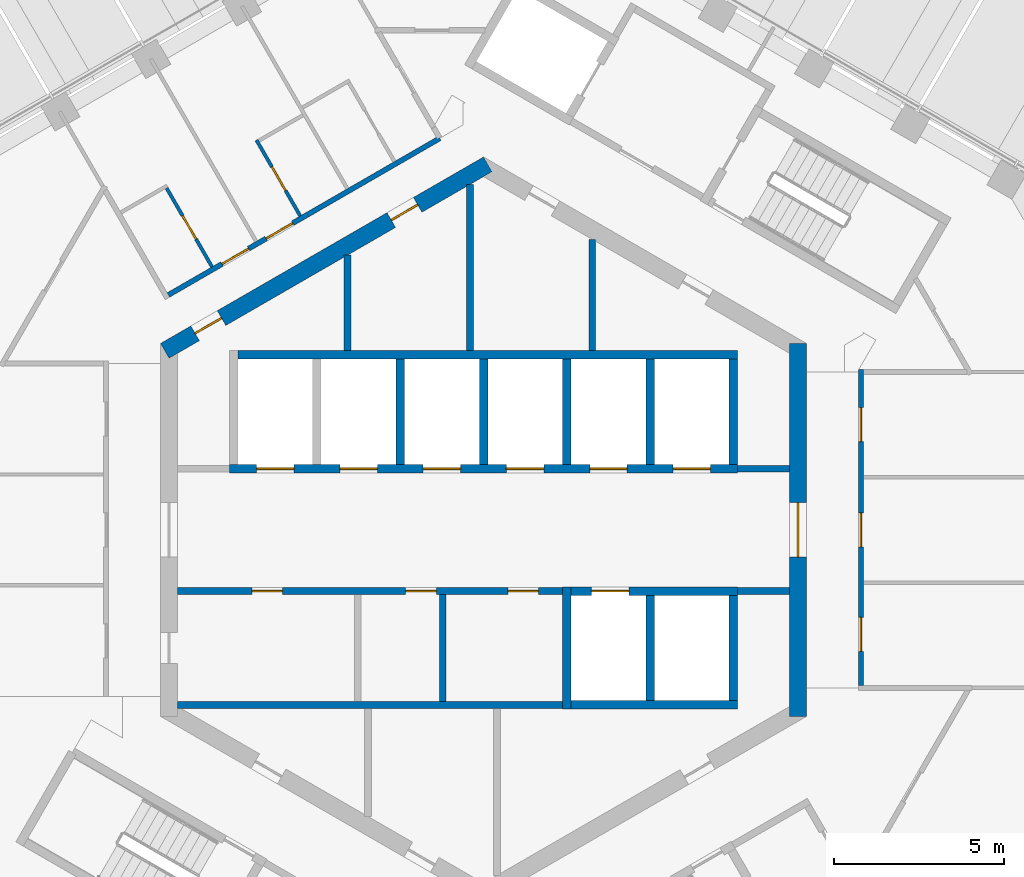
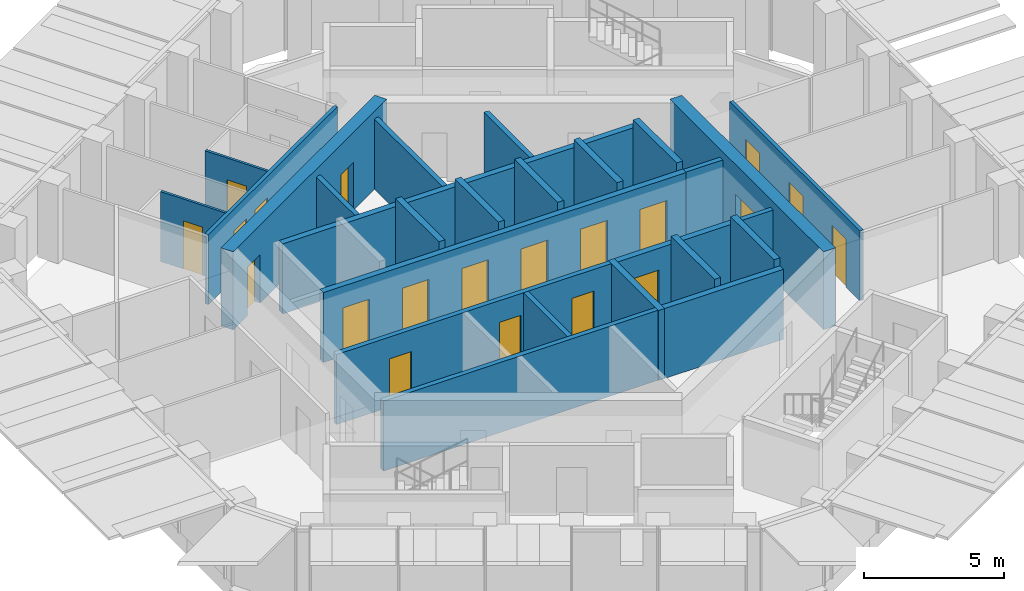
# One storey, part 13 of 17: 26 walls, 20 doors, 20 openings.
"""IFC4 building model written with IfcOpenShell, lengths in metres."""

from ifc_helpers import new_model, si_unit, direction, frame, frame_2d, origin, place, context, subcontext, project, spatial, rectangle, extrude, material, layer, layer_set, type_object, element, fill, save


model = new_model("IFC4")

# Units and contexts
model_context = context("Model", 3, precision=1e-05, world=origin(), true_north=direction((0.0, 1.0)))
body_context = subcontext(model_context, "Body", "Model", "MODEL_VIEW")
ifc_project = project(units=[si_unit("LENGTHUNIT", "METRE"), si_unit("AREAUNIT", "SQUARE_METRE"), si_unit("VOLUMEUNIT", "CUBIC_METRE"), si_unit("PLANEANGLEUNIT", "RADIAN"), si_unit("MASSUNIT", "GRAM", prefix="KILO")], contexts=[model_context])

# Site, building, storey
site_placement = place(None, origin())
site = spatial("IfcSite", under=ifc_project, at=site_placement, CompositionType="ELEMENT")
building_placement = place(site_placement, origin())
building = spatial("IfcBuilding", under=site, at=building_placement, Name="Ayvan Gate Tower", CompositionType="ELEMENT")
storey_placement = place(building_placement, frame((0.0, 0.0, 232.5)))
storey = spatial("IfcBuildingStorey", under=building, at=storey_placement, Name="L62", CompositionType="ELEMENT", Elevation=232.5)

# Wall, opening, door
ifc_material_1 = material(Name="Concrete C60/75", Category="concrete")
ifc_layer_1 = layer(ifc_material_1, 0.5)
ifc_layer_set_1 = layer_set([ifc_layer_1], Name="Concrete C60/75")
wall_type_1 = type_object("IfcWallType", Name="Core wall 500 C60/75", PredefinedType="SHEAR", material=ifc_layer_set_1)
wall_1_placement = place(storey_placement, frame((9.25, -5.48486328125, 0.0), z_axis=(0.0, 0.0, 1.0), x_axis=(0.0, 1.0, 0.0)))
wall_1 = element("IfcWall", 1, at=wall_1_placement, inside=storey, type_object=wall_type_1, Name="CORE-L62-0", PredefinedType="SHEAR", context=body_context, shape_type="SweptSolid", body=[
    extrude(rectangle(XDim=10.9697265625, YDim=0.5, at=frame_2d((5.48486328125, 0.0))), origin(), (0.0, 0.0, 1.0), 3.39990234375),
])
opening_1_placement = place(wall_1_placement, frame((4.684814453125, 0.0, 0.0)))
opening_1 = element("IfcOpeningElement", 2, at=opening_1_placement, cuts=wall_1, Name="Opening L62-D46", PredefinedType="OPENING", context=body_context, shape_type="SweptSolid", body=[
    extrude(rectangle(XDim=1.60009765625, YDim=2.10009765625, at=frame_2d((0.800048828125, 1.050048828125))), frame((0.0, 0.260009765625, 0.0), z_axis=(0.0, -1.0, 0.0), x_axis=(1.0, 0.0, 0.0)), (0.0, 0.0, 1.0), 0.52001953125),
])
ifc_material_2 = material(Name="Timber door leaf", Category="wood")
door_type_1 = type_object("IfcDoorType", Name="DT-1600", OperationType="NOTDEFINED", PredefinedType="DOOR", material=ifc_material_2)
door_1_placement = place(opening_1_placement, origin())
door_1 = element("IfcDoor", 3, at=door_1_placement, inside=storey, type_object=door_type_1, Name="CD-L62-46", OperationType="SINGLE_SWING_RIGHT", OverallHeight=2.10009765625, OverallWidth=1.60009765625, PredefinedType="DOOR", context=body_context, shape_type="SweptSolid", body=[
    extrude(rectangle(XDim=1.60009765625, YDim=2.10009765625, at=frame_2d((0.800048828125, 1.050048828125))), frame((0.0, 0.02490234375, 0.0), z_axis=(0.0, -1.0, 0.0), x_axis=(1.0, 0.0, 0.0)), (0.0, 0.0, 1.0), 0.050048828125),
])
fill(opening_1, door_1)

# Wall, openings, doors
wall_2_placement = place(storey_placement, frame((0.125, 10.753173828125, 0.0), z_axis=(0.0, 0.0, 1.0), x_axis=(-0.866023993627, -0.500002442456, 0.0)))
wall_2 = element("IfcWall", 4, at=wall_2_placement, inside=storey, type_object=wall_type_1, Name="CORE-L62-2", PredefinedType="SHEAR", context=body_context, shape_type="SweptSolid", body=[
    extrude(rectangle(XDim=10.9697265625, YDim=0.5, at=frame_2d((5.48486328125, 0.0))), origin(), (0.0, 0.0, 1.0), 3.39990234375),
])
opening_2_placement = place(wall_2_placement, frame((9.042724609375, 0.0, 0.0)))
opening_2 = element("IfcOpeningElement", 5, at=opening_2_placement, cuts=wall_2, Name="Opening L62-D38", PredefinedType="OPENING", context=body_context, shape_type="SweptSolid", body=[
    extrude(rectangle(XDim=0.89990234375, YDim=2.10009765625, at=frame_2d((0.449951171875, 1.050048828125))), frame((0.0, 0.260009765625, 0.0), z_axis=(0.0, -1.0, 0.0), x_axis=(1.0, 0.0, 0.0)), (0.0, 0.0, 1.0), 0.52001953125),
])
opening_3_placement = place(wall_2_placement, frame((2.379638671875, 0.0, 0.0)))
opening_3 = element("IfcOpeningElement", 6, at=opening_3_placement, cuts=wall_2, Name="Opening L62-D39", PredefinedType="OPENING", context=body_context, shape_type="SweptSolid", body=[
    extrude(rectangle(XDim=0.89990234375, YDim=2.10009765625, at=frame_2d((0.449951171875, 1.050048828125))), frame((0.0, 0.260009765625, 0.0), z_axis=(0.0, -1.0, 0.0), x_axis=(1.0, 0.0, 0.0)), (0.0, 0.0, 1.0), 0.52001953125),
])
door_type_2 = type_object("IfcDoorType", Name="DT-900", OperationType="NOTDEFINED", PredefinedType="DOOR", material=ifc_material_2)
door_2_placement = place(opening_2_placement, origin())
door_2 = element("IfcDoor", 7, at=door_2_placement, inside=storey, type_object=door_type_2, Name="CD-L62-38", OperationType="SINGLE_SWING_RIGHT", OverallHeight=2.10009765625, OverallWidth=0.89990234375, PredefinedType="DOOR", context=body_context, shape_type="SweptSolid", body=[
    extrude(rectangle(XDim=0.89990234375, YDim=2.10009765625, at=frame_2d((0.449951171875, 1.050048828125))), frame((0.0, 0.02490234375, 0.0), z_axis=(0.0, -1.0, 0.0), x_axis=(1.0, 0.0, 0.0)), (0.0, 0.0, 1.0), 0.050048828125),
])
fill(opening_2, door_2)
door_3_placement = place(opening_3_placement, origin())
door_3 = element("IfcDoor", 8, at=door_3_placement, inside=storey, type_object=door_type_2, Name="CD-L62-39", OperationType="SINGLE_SWING_LEFT", OverallHeight=2.10009765625, OverallWidth=0.89990234375, PredefinedType="DOOR", context=body_context, shape_type="SweptSolid", body=[
    extrude(rectangle(XDim=0.89990234375, YDim=2.10009765625, at=frame_2d((0.449951171875, 1.050048828125))), frame((0.0, 0.02490234375, 0.0), z_axis=(0.0, -1.0, 0.0), x_axis=(1.0, 0.0, 0.0)), (0.0, 0.0, 1.0), 0.050048828125),
])
fill(opening_3, door_3)

ifc_material_3 = material(Name="Plasterboard on steel stud", Category="steel")
ifc_layer_2 = layer(ifc_material_3, 0.14990234375)
ifc_layer_set_2 = layer_set([ifc_layer_2], Name="Plasterboard on steel stud")
wall_type_2 = type_object("IfcWallType", Name="WT-CORR-150", PredefinedType="PARTITIONING", material=ifc_layer_set_2)
wall_3_placement = place(storey_placement, frame((-9.268798828125, 6.91162109375, 0.0), z_axis=(0.0, 0.0, 1.0), x_axis=(0.866021065666, 0.500007513767, 0.0)))
wall_3 = element("IfcWall", 9, at=wall_3_placement, inside=storey, type_object=wall_type_2, Name="IW-L62-011", PredefinedType="PARTITIONING", context=body_context, shape_type="SweptSolid", body=[
    extrude(rectangle(XDim=9.217529296875, YDim=0.14990234375, at=frame_2d((4.60888671875, 0.0))), origin(), (0.0, 0.0, 1.0), 3.050048828125),
])
opening_4_placement = place(wall_3_placement, frame((3.3212890625, 0.0, 0.0)))
opening_4 = element("IfcOpeningElement", 10, at=opening_4_placement, cuts=wall_3, Name="Opening L62-D34", PredefinedType="OPENING", context=body_context, shape_type="SweptSolid", body=[
    extrude(rectangle(XDim=0.89990234375, YDim=2.10009765625, at=frame_2d((0.449951171875, 1.050048828125))), frame((0.0, 0.0849609375, 0.0), z_axis=(0.0, -1.0, 0.0), x_axis=(1.0, 0.0, 0.0)), (0.0, 0.0, 1.0), 0.169921875),
])
opening_5_placement = place(wall_3_placement, frame((1.82373046875, 0.0, 0.0)))
opening_5 = element("IfcOpeningElement", 11, at=opening_5_placement, cuts=wall_3, Name="Opening L62-D36", PredefinedType="OPENING", context=body_context, shape_type="SweptSolid", body=[
    extrude(rectangle(XDim=0.89990234375, YDim=2.10009765625, at=frame_2d((0.449951171875, 1.050048828125))), frame((0.0, 0.0849609375, 0.0), z_axis=(0.0, -1.0, 0.0), x_axis=(1.0, 0.0, 0.0)), (0.0, 0.0, 1.0), 0.169921875),
])
door_4_placement = place(opening_4_placement, origin())
door_4 = element("IfcDoor", 12, at=door_4_placement, inside=storey, type_object=door_type_2, Name="ID-L62-034", OperationType="SINGLE_SWING_RIGHT", OverallHeight=2.10009765625, OverallWidth=0.89990234375, PredefinedType="DOOR", context=body_context, shape_type="SweptSolid", body=[
    extrude(rectangle(XDim=0.89990234375, YDim=2.10009765625, at=frame_2d((0.449951171875, 1.050048828125))), frame((0.0, 0.02490234375, 0.0), z_axis=(0.0, -1.0, 0.0), x_axis=(1.0, 0.0, 0.0)), (0.0, 0.0, 1.0), 0.050048828125),
])
fill(opening_4, door_4)
door_5_placement = place(opening_5_placement, origin())
door_5 = element("IfcDoor", 13, at=door_5_placement, inside=storey, type_object=door_type_2, Name="ID-L62-036", OperationType="SINGLE_SWING_RIGHT", OverallHeight=2.10009765625, OverallWidth=0.89990234375, PredefinedType="DOOR", context=body_context, shape_type="SweptSolid", body=[
    extrude(rectangle(XDim=0.89990234375, YDim=2.10009765625, at=frame_2d((0.449951171875, 1.050048828125))), frame((0.0, 0.02490234375, 0.0), z_axis=(0.0, -1.0, 0.0), x_axis=(1.0, 0.0, 0.0)), (0.0, 0.0, 1.0), 0.050048828125),
])
fill(opening_5, door_5)

wall_4_placement = place(storey_placement, frame((11.10009765625, -4.5712890625, 0.0), z_axis=(0.0, 0.0, 1.0), x_axis=(0.0, 1.0, 0.0)))
wall_4 = element("IfcWall", 14, at=wall_4_placement, inside=storey, type_object=wall_type_2, Name="IW-L62-077", PredefinedType="PARTITIONING", context=body_context, shape_type="SweptSolid", body=[
    extrude(rectangle(XDim=9.29248046875, YDim=0.14990234375, at=frame_2d((4.646240234375, 0.0))), origin(), (0.0, 0.0, 1.0), 3.050048828125),
])
opening_6_placement = place(wall_4_placement, frame((0.996337890625, 0.0, 0.0)))
opening_6 = element("IfcOpeningElement", 15, at=opening_6_placement, cuts=wall_4, Name="Opening L62-D22", PredefinedType="OPENING", context=body_context, shape_type="SweptSolid", body=[
    extrude(rectangle(XDim=1.0, YDim=2.10009765625, at=frame_2d((0.5, 1.050048828125))), frame((0.0, 0.0849609375, 0.0), z_axis=(0.0, -1.0, 0.0), x_axis=(1.0, 0.0, 0.0)), (0.0, 0.0, 1.0), 0.169921875),
])
opening_7_placement = place(wall_4_placement, frame((4.0712890625, 0.0, 0.0)))
opening_7 = element("IfcOpeningElement", 16, at=opening_7_placement, cuts=wall_4, Name="Opening L62-D23", PredefinedType="OPENING", context=body_context, shape_type="SweptSolid", body=[
    extrude(rectangle(XDim=1.0, YDim=2.10009765625, at=frame_2d((0.5, 1.050048828125))), frame((0.0, 0.0849609375, 0.0), z_axis=(0.0, -1.0, 0.0), x_axis=(1.0, 0.0, 0.0)), (0.0, 0.0, 1.0), 0.169921875),
])
opening_8_placement = place(wall_4_placement, frame((7.168701171875, 0.0, 0.0)))
opening_8 = element("IfcOpeningElement", 17, at=opening_8_placement, cuts=wall_4, Name="Opening L62-D24", PredefinedType="OPENING", context=body_context, shape_type="SweptSolid", body=[
    extrude(rectangle(XDim=1.0, YDim=2.10009765625, at=frame_2d((0.5, 1.050048828125))), frame((0.0, 0.0849609375, 0.0), z_axis=(0.0, -1.0, 0.0), x_axis=(1.0, 0.0, 0.0)), (0.0, 0.0, 1.0), 0.169921875),
])
door_type_3 = type_object("IfcDoorType", Name="DT-1000", OperationType="NOTDEFINED", PredefinedType="DOOR", material=ifc_material_2)
door_6_placement = place(opening_6_placement, origin())
door_6 = element("IfcDoor", 18, at=door_6_placement, inside=storey, type_object=door_type_3, Name="ID-L62-022", OperationType="SINGLE_SWING_RIGHT", OverallHeight=2.10009765625, OverallWidth=1.0, PredefinedType="DOOR", context=body_context, shape_type="SweptSolid", body=[
    extrude(rectangle(XDim=1.0, YDim=2.10009765625, at=frame_2d((0.5, 1.050048828125))), frame((0.0, 0.02490234375, 0.0), z_axis=(0.0, -1.0, 0.0), x_axis=(1.0, 0.0, 0.0)), (0.0, 0.0, 1.0), 0.050048828125),
])
fill(opening_6, door_6)
door_7_placement = place(opening_7_placement, origin())
door_7 = element("IfcDoor", 19, at=door_7_placement, inside=storey, type_object=door_type_3, Name="ID-L62-023", OperationType="SINGLE_SWING_LEFT", OverallHeight=2.10009765625, OverallWidth=1.0, PredefinedType="DOOR", context=body_context, shape_type="SweptSolid", body=[
    extrude(rectangle(XDim=1.0, YDim=2.10009765625, at=frame_2d((0.5, 1.050048828125))), frame((0.0, 0.02490234375, 0.0), z_axis=(0.0, -1.0, 0.0), x_axis=(1.0, 0.0, 0.0)), (0.0, 0.0, 1.0), 0.050048828125),
])
fill(opening_7, door_7)
door_8_placement = place(opening_8_placement, origin())
door_8 = element("IfcDoor", 20, at=door_8_placement, inside=storey, type_object=door_type_3, Name="ID-L62-024", OperationType="SINGLE_SWING_RIGHT", OverallHeight=2.10009765625, OverallWidth=1.0, PredefinedType="DOOR", context=body_context, shape_type="SweptSolid", body=[
    extrude(rectangle(XDim=1.0, YDim=2.10009765625, at=frame_2d((0.5, 1.050048828125))), frame((0.0, 0.02490234375, 0.0), z_axis=(0.0, -1.0, 0.0), x_axis=(1.0, 0.0, 0.0)), (0.0, 0.0, 1.0), 0.050048828125),
])
fill(opening_8, door_8)

# Wall, opening, door
ifc_layer_3 = layer(ifc_material_3, 0.10009765625)
ifc_layer_set_3 = layer_set([ifc_layer_3], Name="Plasterboard on steel stud")
wall_type_3 = type_object("IfcWallType", Name="WT-PART-100", PredefinedType="PARTITIONING", material=ifc_layer_set_3)
wall_5_placement = place(storey_placement, frame((-7.985595703125, 7.739013671875, 0.0), z_axis=(0.0, 0.0, 1.0), x_axis=(-0.50003581814, 0.866004723184, 0.0)))
wall_5 = element("IfcWall", 21, at=wall_5_placement, inside=storey, type_object=wall_type_3, Name="IW-L62-015", PredefinedType="PARTITIONING", context=body_context, shape_type="SweptSolid", body=[
    extrude(rectangle(XDim=2.675048828125, YDim=0.10009765625, at=frame_2d((1.33740234375, 0.0))), origin(), (0.0, 0.0, 1.0), 3.050048828125),
])
opening_9_placement = place(wall_5_placement, frame((0.9375, 0.0, 0.0)))
opening_9 = element("IfcOpeningElement", 22, at=opening_9_placement, cuts=wall_5, Name="Opening L62-D37", PredefinedType="OPENING", context=body_context, shape_type="SweptSolid", body=[
    extrude(rectangle(XDim=0.800048828125, YDim=2.10009765625, at=frame_2d((0.39990234375, 1.050048828125))), frame((0.0, 0.06005859375, 0.0), z_axis=(0.0, -1.0, 0.0), x_axis=(1.0, 0.0, 0.0)), (0.0, 0.0, 1.0), 0.1201171875),
])
door_type_4 = type_object("IfcDoorType", Name="DT-800", OperationType="NOTDEFINED", PredefinedType="DOOR", material=ifc_material_2)
door_9_placement = place(opening_9_placement, origin())
door_9 = element("IfcDoor", 23, at=door_9_placement, inside=storey, type_object=door_type_4, Name="ID-L62-037", OperationType="SINGLE_SWING_LEFT", OverallHeight=2.10009765625, OverallWidth=0.800048828125, PredefinedType="DOOR", context=body_context, shape_type="SweptSolid", body=[
    extrude(rectangle(XDim=0.800048828125, YDim=2.10009765625, at=frame_2d((0.39990234375, 1.050048828125))), frame((0.0, 0.02490234375, 0.0), z_axis=(0.0, -1.0, 0.0), x_axis=(1.0, 0.0, 0.0)), (0.0, 0.0, 1.0), 0.050048828125),
])
fill(opening_9, door_9)

wall_6_placement = place(storey_placement, frame((-6.679443359375, 11.466552734375, 0.0), z_axis=(0.0, 0.0, 1.0), x_axis=(0.500034319456, -0.866005588531, 0.0)))
wall_6 = element("IfcWall", 24, at=wall_6_placement, inside=storey, type_object=wall_type_3, Name="IW-L62-019", PredefinedType="PARTITIONING", context=body_context, shape_type="SweptSolid", body=[
    extrude(rectangle(XDim=2.574951171875, YDim=0.10009765625, at=frame_2d((1.28759765625, 0.0))), origin(), (0.0, 0.0, 1.0), 3.050048828125),
])
opening_10_placement = place(wall_6_placement, frame((0.91259765625, 0.0, 0.0)))
opening_10 = element("IfcOpeningElement", 25, at=opening_10_placement, cuts=wall_6, Name="Opening L62-D35", PredefinedType="OPENING", context=body_context, shape_type="SweptSolid", body=[
    extrude(rectangle(XDim=0.800048828125, YDim=2.10009765625, at=frame_2d((0.39990234375, 1.050048828125))), frame((0.0, 0.06005859375, 0.0), z_axis=(0.0, -1.0, 0.0), x_axis=(1.0, 0.0, 0.0)), (0.0, 0.0, 1.0), 0.1201171875),
])
door_10_placement = place(opening_10_placement, origin())
door_10 = element("IfcDoor", 26, at=door_10_placement, inside=storey, type_object=door_type_4, Name="ID-L62-035", OperationType="SINGLE_SWING_LEFT", OverallHeight=2.10009765625, OverallWidth=0.800048828125, PredefinedType="DOOR", context=body_context, shape_type="SweptSolid", body=[
    extrude(rectangle(XDim=0.800048828125, YDim=2.10009765625, at=frame_2d((0.39990234375, 1.050048828125))), frame((0.0, 0.02490234375, 0.0), z_axis=(0.0, -1.0, 0.0), x_axis=(1.0, 0.0, 0.0)), (0.0, 0.0, 1.0), 0.050048828125),
])
fill(opening_10, door_10)

# Walls
ifc_layer_4 = layer(ifc_material_3, 0.199951171875)
ifc_layer_set_4 = layer_set([ifc_layer_4], Name="Plasterboard on steel stud")
wall_type_4 = type_object("IfcWallType", Name="WT-RATED-200", PredefinedType="PARTITIONING", material=ifc_layer_set_4)
wall_7_placement = place(storey_placement, frame((-9.0, -5.14990234375, 0.0), z_axis=(0.0, 0.0, 1.0), x_axis=(1.0, 0.0, 0.0)))
element("IfcWall", 27, at=wall_7_placement, inside=storey, type_object=wall_type_4, Name="IW-L62-013", PredefinedType="PARTITIONING", context=body_context, shape_type="SweptSolid", body=[
    extrude(rectangle(XDim=11.3251953125, YDim=0.199951171875, at=frame_2d((5.66259765625, 0.0))), origin(), (0.0, 0.0, 1.0), 3.050048828125),
])
wall_8_placement = place(storey_placement, frame((-4.0, 8.0830078125, 0.0), z_axis=(0.0, 0.0, 1.0), x_axis=(0.0, -1.0, 0.0)))
element("IfcWall", 28, at=wall_8_placement, inside=storey, type_object=wall_type_4, Name="IW-L62-026", PredefinedType="PARTITIONING", context=body_context, shape_type="SweptSolid", body=[
    extrude(rectangle(XDim=2.80810546875, YDim=0.199951171875, at=frame_2d((1.404052734375, 0.0))), origin(), (0.0, 0.0, 1.0), 3.050048828125),
])

# Wall, openings, doors
wall_9_placement = place(storey_placement, frame((-9.0, -1.800048828125, 0.0), z_axis=(0.0, 0.0, 1.0), x_axis=(1.0, 0.0, 0.0)))
wall_9 = element("IfcWall", 29, at=wall_9_placement, inside=storey, type_object=wall_type_4, Name="IW-L62-029", PredefinedType="PARTITIONING", context=body_context, shape_type="SweptSolid", body=[
    extrude(rectangle(XDim=11.3251953125, YDim=0.199951171875, at=frame_2d((5.66259765625, 0.0))), origin(), (0.0, 0.0, 1.0), 3.050048828125),
])
opening_11_placement = place(wall_9_placement, frame((2.18505859375, 0.0, 0.0)))
opening_11 = element("IfcOpeningElement", 30, at=opening_11_placement, cuts=wall_9, Name="Opening L62-D08", PredefinedType="OPENING", context=body_context, shape_type="SweptSolid", body=[
    extrude(rectangle(XDim=0.89990234375, YDim=2.10009765625, at=frame_2d((0.449951171875, 1.050048828125))), frame((0.0, 0.10986328125, 0.0), z_axis=(0.0, -1.0, 0.0), x_axis=(1.0, 0.0, 0.0)), (0.0, 0.0, 1.0), 0.219970703125),
])
opening_12_placement = place(wall_9_placement, frame((6.7099609375, 0.0, 0.0)))
opening_12 = element("IfcOpeningElement", 31, at=opening_12_placement, cuts=wall_9, Name="Opening L62-D09", PredefinedType="OPENING", context=body_context, shape_type="SweptSolid", body=[
    extrude(rectangle(XDim=0.89990234375, YDim=2.10009765625, at=frame_2d((0.449951171875, 1.050048828125))), frame((0.0, 0.10986328125, 0.0), z_axis=(0.0, -1.0, 0.0), x_axis=(1.0, 0.0, 0.0)), (0.0, 0.0, 1.0), 0.219970703125),
])
opening_13_placement = place(wall_9_placement, frame((9.712646484375, 0.0, 0.0)))
opening_13 = element("IfcOpeningElement", 32, at=opening_13_placement, cuts=wall_9, Name="Opening L62-D10", PredefinedType="OPENING", context=body_context, shape_type="SweptSolid", body=[
    extrude(rectangle(XDim=0.89990234375, YDim=2.10009765625, at=frame_2d((0.449951171875, 1.050048828125))), frame((0.0, 0.10986328125, 0.0), z_axis=(0.0, -1.0, 0.0), x_axis=(1.0, 0.0, 0.0)), (0.0, 0.0, 1.0), 0.219970703125),
])
door_11_placement = place(opening_11_placement, origin())
door_11 = element("IfcDoor", 33, at=door_11_placement, inside=storey, type_object=door_type_2, Name="ID-L62-008", OperationType="SINGLE_SWING_RIGHT", OverallHeight=2.10009765625, OverallWidth=0.89990234375, PredefinedType="DOOR", context=body_context, shape_type="SweptSolid", body=[
    extrude(rectangle(XDim=0.89990234375, YDim=2.10009765625, at=frame_2d((0.449951171875, 1.050048828125))), frame((0.0, 0.02490234375, 0.0), z_axis=(0.0, -1.0, 0.0), x_axis=(1.0, 0.0, 0.0)), (0.0, 0.0, 1.0), 0.050048828125),
])
fill(opening_11, door_11)
door_12_placement = place(opening_12_placement, origin())
door_12 = element("IfcDoor", 34, at=door_12_placement, inside=storey, type_object=door_type_2, Name="ID-L62-009", OperationType="SINGLE_SWING_LEFT", OverallHeight=2.10009765625, OverallWidth=0.89990234375, PredefinedType="DOOR", context=body_context, shape_type="SweptSolid", body=[
    extrude(rectangle(XDim=0.89990234375, YDim=2.10009765625, at=frame_2d((0.449951171875, 1.050048828125))), frame((0.0, 0.02490234375, 0.0), z_axis=(0.0, -1.0, 0.0), x_axis=(1.0, 0.0, 0.0)), (0.0, 0.0, 1.0), 0.050048828125),
])
fill(opening_12, door_12)
door_13_placement = place(opening_13_placement, origin())
door_13 = element("IfcDoor", 35, at=door_13_placement, inside=storey, type_object=door_type_2, Name="ID-L62-010", OperationType="SINGLE_SWING_RIGHT", OverallHeight=2.10009765625, OverallWidth=0.89990234375, PredefinedType="DOOR", context=body_context, shape_type="SweptSolid", body=[
    extrude(rectangle(XDim=0.89990234375, YDim=2.10009765625, at=frame_2d((0.449951171875, 1.050048828125))), frame((0.0, 0.02490234375, 0.0), z_axis=(0.0, -1.0, 0.0), x_axis=(1.0, 0.0, 0.0)), (0.0, 0.0, 1.0), 0.050048828125),
])
fill(opening_13, door_13)

# Walls
wall_10_placement = place(storey_placement, frame((-1.199951171875, -1.89990234375, 0.0), z_axis=(0.0, 0.0, 1.0), x_axis=(0.0, -1.0, 0.0)))
element("IfcWall", 36, at=wall_10_placement, inside=storey, type_object=wall_type_4, Name="IW-L62-039", PredefinedType="PARTITIONING", context=body_context, shape_type="SweptSolid", body=[
    extrude(rectangle(XDim=3.150146484375, YDim=0.199951171875, at=frame_2d((1.5751953125, 0.0))), origin(), (0.0, 0.0, 1.0), 3.050048828125),
])
wall_11_placement = place(storey_placement, frame((-0.39990234375, 10.161376953125, 0.0), z_axis=(0.0, 0.0, 1.0), x_axis=(0.0, -1.0, 0.0)))
element("IfcWall", 37, at=wall_11_placement, inside=storey, type_object=wall_type_4, Name="IW-L62-041", PredefinedType="PARTITIONING", context=body_context, shape_type="SweptSolid", body=[
    extrude(rectangle(XDim=4.886474609375, YDim=0.199951171875, at=frame_2d((2.443359375, 0.0))), origin(), (0.0, 0.0, 1.0), 3.050048828125),
])
wall_12_placement = place(storey_placement, frame((3.199951171875, 8.544921875, 0.0), z_axis=(0.0, 0.0, 1.0), x_axis=(0.0, -1.0, 0.0)))
element("IfcWall", 38, at=wall_12_placement, inside=storey, type_object=wall_type_4, Name="IW-L62-053", PredefinedType="PARTITIONING", context=body_context, shape_type="SweptSolid", body=[
    extrude(rectangle(XDim=3.27001953125, YDim=0.199951171875, at=frame_2d((1.635009765625, 0.0))), origin(), (0.0, 0.0, 1.0), 3.050048828125),
])
for number, where, z_axis, x_axis, name in (
    (39, (7.474853515625, 1.800048828125, 0.0), (0.0, 0.0, 1.0), (1.0, 0.0, 0.0), "IW-L62-065"),
    (40, (9.0, -1.800048828125, 0.0), (0.0, 0.0, 1.0), (-1.0, 0.0, 0.0), "IW-L62-072"),
):
    element("IfcWall", number, at=place(storey_placement, frame(where, z_axis=z_axis, x_axis=x_axis)), inside=storey, type_object=wall_type_4, Name=name, PredefinedType="PARTITIONING", context=body_context, shape_type="SweptSolid", body=[
        extrude(rectangle(XDim=1.525146484375, YDim=0.199951171875, at=frame_2d((0.7626953125, 0.0))), origin(), (0.0, 0.0, 1.0), 3.050048828125),
    ])

# Wall, openings, doors
ifc_material_4 = material(Name="Concrete C50/60", Category="concrete")
ifc_layer_5 = layer(ifc_material_4, 0.25)
ifc_layer_set_5 = layer_set([ifc_layer_5], Name="Concrete C50/60")
wall_type_5 = type_object("IfcWallType", Name="WT-RC-250", PredefinedType="SHEAR", material=ifc_layer_set_5)
wall_13_placement = place(storey_placement, frame((-7.47509765625, 1.800048828125, 0.0), z_axis=(0.0, 0.0, 1.0), x_axis=(1.0, 0.0, 0.0)))
wall_13 = element("IfcWall", 41, at=wall_13_placement, inside=storey, type_object=wall_type_5, Name="IW-L62-016", PredefinedType="SHEAR", context=body_context, shape_type="SweptSolid", body=[
    extrude(rectangle(XDim=14.9501953125, YDim=0.25, at=frame_2d((7.47509765625, 0.0))), origin(), (0.0, 0.0, 1.0), 3.050048828125),
])
opening_14_placement = place(wall_13_placement, frame((0.800048828125, 0.0, 0.0)))
opening_14 = element("IfcOpeningElement", 42, at=opening_14_placement, cuts=wall_13, Name="Opening L62-LD-HR1", PredefinedType="OPENING", context=body_context, shape_type="SweptSolid", body=[
    extrude(rectangle(XDim=1.10009765625, YDim=2.10009765625, at=frame_2d((0.550048828125, 1.050048828125))), frame((0.0, 0.135009765625, 0.0), z_axis=(0.0, -1.0, 0.0), x_axis=(1.0, 0.0, 0.0)), (0.0, 0.0, 1.0), 0.27001953125),
])
opening_15_placement = place(wall_13_placement, frame((3.25, 0.0, 0.0)))
opening_15 = element("IfcOpeningElement", 43, at=opening_15_placement, cuts=wall_13, Name="Opening L62-LD-HR2", PredefinedType="OPENING", context=body_context, shape_type="SweptSolid", body=[
    extrude(rectangle(XDim=1.10009765625, YDim=2.10009765625, at=frame_2d((0.550048828125, 1.050048828125))), frame((0.0, 0.135009765625, 0.0), z_axis=(0.0, -1.0, 0.0), x_axis=(1.0, 0.0, 0.0)), (0.0, 0.0, 1.0), 0.27001953125),
])
opening_16_placement = place(wall_13_placement, frame((5.7001953125, 0.0, 0.0)))
opening_16 = element("IfcOpeningElement", 44, at=opening_16_placement, cuts=wall_13, Name="Opening L62-LD-HR3", PredefinedType="OPENING", context=body_context, shape_type="SweptSolid", body=[
    extrude(rectangle(XDim=1.10009765625, YDim=2.10009765625, at=frame_2d((0.550048828125, 1.050048828125))), frame((0.0, 0.135009765625, 0.0), z_axis=(0.0, -1.0, 0.0), x_axis=(1.0, 0.0, 0.0)), (0.0, 0.0, 1.0), 0.27001953125),
])
opening_17_placement = place(wall_13_placement, frame((8.150146484375, 0.0, 0.0)))
opening_17 = element("IfcOpeningElement", 45, at=opening_17_placement, cuts=wall_13, Name="Opening L62-LD-HR4", PredefinedType="OPENING", context=body_context, shape_type="SweptSolid", body=[
    extrude(rectangle(XDim=1.10009765625, YDim=2.10009765625, at=frame_2d((0.550048828125, 1.050048828125))), frame((0.0, 0.135009765625, 0.0), z_axis=(0.0, -1.0, 0.0), x_axis=(1.0, 0.0, 0.0)), (0.0, 0.0, 1.0), 0.27001953125),
])
opening_18_placement = place(wall_13_placement, frame((10.60009765625, 0.0, 0.0)))
opening_18 = element("IfcOpeningElement", 46, at=opening_18_placement, cuts=wall_13, Name="Opening L62-LD-HR5", PredefinedType="OPENING", context=body_context, shape_type="SweptSolid", body=[
    extrude(rectangle(XDim=1.10009765625, YDim=2.10009765625, at=frame_2d((0.550048828125, 1.050048828125))), frame((0.0, 0.135009765625, 0.0), z_axis=(0.0, -1.0, 0.0), x_axis=(1.0, 0.0, 0.0)), (0.0, 0.0, 1.0), 0.27001953125),
])
opening_19_placement = place(wall_13_placement, frame((13.050048828125, 0.0, 0.0)))
opening_19 = element("IfcOpeningElement", 47, at=opening_19_placement, cuts=wall_13, Name="Opening L62-LD-HR6", PredefinedType="OPENING", context=body_context, shape_type="SweptSolid", body=[
    extrude(rectangle(XDim=1.10009765625, YDim=2.10009765625, at=frame_2d((0.550048828125, 1.050048828125))), frame((0.0, 0.135009765625, 0.0), z_axis=(0.0, -1.0, 0.0), x_axis=(1.0, 0.0, 0.0)), (0.0, 0.0, 1.0), 0.27001953125),
])
ifc_material_5 = material(Name="Stainless steel landing door", Category="steel")
door_type_5 = type_object("IfcDoorType", Name="DT-LANDING-1100", OperationType="SLIDING_TO_LEFT", PredefinedType="DOOR", material=ifc_material_5)
door_14_placement = place(opening_14_placement, origin())
door_14 = element("IfcDoor", 48, at=door_14_placement, inside=storey, type_object=door_type_5, Name="ID-L62-001", OperationType="SLIDING_TO_LEFT", OverallHeight=2.10009765625, OverallWidth=1.10009765625, PredefinedType="DOOR", context=body_context, shape_type="SweptSolid", body=[
    extrude(rectangle(XDim=1.10009765625, YDim=2.10009765625, at=frame_2d((0.550048828125, 1.050048828125))), frame((0.0, 0.02490234375, 0.0), z_axis=(0.0, -1.0, 0.0), x_axis=(1.0, 0.0, 0.0)), (0.0, 0.0, 1.0), 0.050048828125),
])
fill(opening_14, door_14)
door_15_placement = place(opening_15_placement, origin())
door_15 = element("IfcDoor", 49, at=door_15_placement, inside=storey, type_object=door_type_5, Name="ID-L62-002", OperationType="SLIDING_TO_LEFT", OverallHeight=2.10009765625, OverallWidth=1.10009765625, PredefinedType="DOOR", context=body_context, shape_type="SweptSolid", body=[
    extrude(rectangle(XDim=1.10009765625, YDim=2.10009765625, at=frame_2d((0.550048828125, 1.050048828125))), frame((0.0, 0.02490234375, 0.0), z_axis=(0.0, -1.0, 0.0), x_axis=(1.0, 0.0, 0.0)), (0.0, 0.0, 1.0), 0.050048828125),
])
fill(opening_15, door_15)
door_16_placement = place(opening_16_placement, origin())
door_16 = element("IfcDoor", 50, at=door_16_placement, inside=storey, type_object=door_type_5, Name="ID-L62-003", OperationType="SLIDING_TO_LEFT", OverallHeight=2.10009765625, OverallWidth=1.10009765625, PredefinedType="DOOR", context=body_context, shape_type="SweptSolid", body=[
    extrude(rectangle(XDim=1.10009765625, YDim=2.10009765625, at=frame_2d((0.550048828125, 1.050048828125))), frame((0.0, 0.02490234375, 0.0), z_axis=(0.0, -1.0, 0.0), x_axis=(1.0, 0.0, 0.0)), (0.0, 0.0, 1.0), 0.050048828125),
])
fill(opening_16, door_16)
door_17_placement = place(opening_17_placement, origin())
door_17 = element("IfcDoor", 51, at=door_17_placement, inside=storey, type_object=door_type_5, Name="ID-L62-004", OperationType="SLIDING_TO_LEFT", OverallHeight=2.10009765625, OverallWidth=1.10009765625, PredefinedType="DOOR", context=body_context, shape_type="SweptSolid", body=[
    extrude(rectangle(XDim=1.10009765625, YDim=2.10009765625, at=frame_2d((0.550048828125, 1.050048828125))), frame((0.0, 0.02490234375, 0.0), z_axis=(0.0, -1.0, 0.0), x_axis=(1.0, 0.0, 0.0)), (0.0, 0.0, 1.0), 0.050048828125),
])
fill(opening_17, door_17)
door_18_placement = place(opening_18_placement, origin())
door_18 = element("IfcDoor", 52, at=door_18_placement, inside=storey, type_object=door_type_5, Name="ID-L62-005", OperationType="SLIDING_TO_LEFT", OverallHeight=2.10009765625, OverallWidth=1.10009765625, PredefinedType="DOOR", context=body_context, shape_type="SweptSolid", body=[
    extrude(rectangle(XDim=1.10009765625, YDim=2.10009765625, at=frame_2d((0.550048828125, 1.050048828125))), frame((0.0, 0.02490234375, 0.0), z_axis=(0.0, -1.0, 0.0), x_axis=(1.0, 0.0, 0.0)), (0.0, 0.0, 1.0), 0.050048828125),
])
fill(opening_18, door_18)
door_19_placement = place(opening_19_placement, origin())
door_19 = element("IfcDoor", 53, at=door_19_placement, inside=storey, type_object=door_type_5, Name="ID-L62-006", OperationType="SLIDING_TO_LEFT", OverallHeight=2.10009765625, OverallWidth=1.10009765625, PredefinedType="DOOR", context=body_context, shape_type="SweptSolid", body=[
    extrude(rectangle(XDim=1.10009765625, YDim=2.10009765625, at=frame_2d((0.550048828125, 1.050048828125))), frame((0.0, 0.02490234375, 0.0), z_axis=(0.0, -1.0, 0.0), x_axis=(1.0, 0.0, 0.0)), (0.0, 0.0, 1.0), 0.050048828125),
])
fill(opening_19, door_19)

# Walls
wall_14_placement = place(storey_placement, frame((-7.22509765625, 5.14990234375, 0.0), z_axis=(0.0, 0.0, 1.0), x_axis=(1.0, 0.0, 0.0)))
element("IfcWall", 54, at=wall_14_placement, inside=storey, type_object=wall_type_5, Name="IW-L62-018", PredefinedType="SHEAR", context=body_context, shape_type="SweptSolid", body=[
    extrude(rectangle(XDim=14.7001953125, YDim=0.25, at=frame_2d((7.35009765625, 0.0))), origin(), (0.0, 0.0, 1.0), 3.050048828125),
])
for number, where, z_axis, x_axis, name in (
    (55, (-2.449951171875, 5.02490234375, 0.0), (0.0, 0.0, 1.0), (0.0, -1.0, 0.0), "IW-L62-036"),
    (56, (0.0, 5.02490234375, 0.0), (0.0, 0.0, 1.0), (0.0, -1.0, 0.0), "IW-L62-043"),
):
    element("IfcWall", number, at=place(storey_placement, frame(where, z_axis=z_axis, x_axis=x_axis)), inside=storey, type_object=wall_type_5, Name=name, PredefinedType="SHEAR", context=body_context, shape_type="SweptSolid", body=[
        extrude(rectangle(XDim=3.099853515625, YDim=0.25, at=frame_2d((1.5498046875, 0.0))), origin(), (0.0, 0.0, 1.0), 3.39990234375),
    ])
wall_15_placement = place(storey_placement, frame((2.449951171875, -5.27490234375, 0.0), z_axis=(0.0, 0.0, 1.0), x_axis=(0.0, 1.0, 0.0)))
element("IfcWall", 57, at=wall_15_placement, inside=storey, type_object=wall_type_5, Name="IW-L62-048", PredefinedType="SHEAR", context=body_context, shape_type="SweptSolid", body=[
    extrude(rectangle(XDim=3.599853515625, YDim=0.25, at=frame_2d((1.7998046875, 0.0))), origin(), (0.0, 0.0, 1.0), 3.050048828125),
])
wall_16_placement = place(storey_placement, frame((2.449951171875, 5.02490234375, 0.0), z_axis=(0.0, 0.0, 1.0), x_axis=(0.0, -1.0, 0.0)))
element("IfcWall", 58, at=wall_16_placement, inside=storey, type_object=wall_type_5, Name="IW-L62-049", PredefinedType="SHEAR", context=body_context, shape_type="SweptSolid", body=[
    extrude(rectangle(XDim=3.099853515625, YDim=0.25, at=frame_2d((1.5498046875, 0.0))), origin(), (0.0, 0.0, 1.0), 3.39990234375),
])
wall_17_placement = place(storey_placement, frame((2.574951171875, -5.14990234375, 0.0), z_axis=(0.0, 0.0, 1.0), x_axis=(1.0, 0.0, 0.0)))
element("IfcWall", 59, at=wall_17_placement, inside=storey, type_object=wall_type_5, Name="IW-L62-056", PredefinedType="SHEAR", context=body_context, shape_type="SweptSolid", body=[
    extrude(rectangle(XDim=4.900146484375, YDim=0.25, at=frame_2d((2.4501953125, 0.0))), origin(), (0.0, 0.0, 1.0), 3.050048828125),
])
for number, where, z_axis, x_axis, name in (
    (60, (4.89990234375, -1.925048828125, 0.0), (0.0, 0.0, 1.0), (0.0, -1.0, 0.0), "IW-L62-057"),
    (61, (4.89990234375, 5.02490234375, 0.0), (0.0, 0.0, 1.0), (0.0, -1.0, 0.0), "IW-L62-058"),
):
    element("IfcWall", number, at=place(storey_placement, frame(where, z_axis=z_axis, x_axis=x_axis)), inside=storey, type_object=wall_type_5, Name=name, PredefinedType="SHEAR", context=body_context, shape_type="SweptSolid", body=[
        extrude(rectangle(XDim=3.099853515625, YDim=0.25, at=frame_2d((1.5498046875, 0.0))), origin(), (0.0, 0.0, 1.0), 3.39990234375),
    ])

# Wall, opening, door
wall_18_placement = place(storey_placement, frame((2.574951171875, -1.800048828125, 0.0), z_axis=(0.0, 0.0, 1.0), x_axis=(1.0, 0.0, 0.0)))
wall_18 = element("IfcWall", 62, at=wall_18_placement, inside=storey, type_object=wall_type_5, Name="IW-L62-059", PredefinedType="SHEAR", context=body_context, shape_type="SweptSolid", body=[
    extrude(rectangle(XDim=4.900146484375, YDim=0.25, at=frame_2d((2.4501953125, 0.0))), origin(), (0.0, 0.0, 1.0), 3.050048828125),
])
opening_20_placement = place(wall_18_placement, frame((0.597412109375, 0.0, 0.0)))
opening_20 = element("IfcOpeningElement", 63, at=opening_20_placement, cuts=wall_18, Name="Opening L62-LD-SV", PredefinedType="OPENING", context=body_context, shape_type="SweptSolid", body=[
    extrude(rectangle(XDim=1.10009765625, YDim=2.10009765625, at=frame_2d((0.550048828125, 1.050048828125))), frame((0.0, 0.135009765625, 0.0), z_axis=(0.0, -1.0, 0.0), x_axis=(1.0, 0.0, 0.0)), (0.0, 0.0, 1.0), 0.27001953125),
])
door_20_placement = place(opening_20_placement, origin())
door_20 = element("IfcDoor", 64, at=door_20_placement, inside=storey, type_object=door_type_5, Name="ID-L62-007", OperationType="SLIDING_TO_LEFT", OverallHeight=2.10009765625, OverallWidth=1.10009765625, PredefinedType="DOOR", context=body_context, shape_type="SweptSolid", body=[
    extrude(rectangle(XDim=1.10009765625, YDim=2.10009765625, at=frame_2d((0.550048828125, 1.050048828125))), frame((0.0, 0.02490234375, 0.0), z_axis=(0.0, -1.0, 0.0), x_axis=(1.0, 0.0, 0.0)), (0.0, 0.0, 1.0), 0.050048828125),
])
fill(opening_20, door_20)

# Walls
for number, where, z_axis, x_axis, name in (
    (65, (7.35009765625, -1.925048828125, 0.0), (0.0, 0.0, 1.0), (0.0, -1.0, 0.0), "IW-L62-066"),
    (66, (7.35009765625, 5.02490234375, 0.0), (0.0, 0.0, 1.0), (0.0, -1.0, 0.0), "IW-L62-067"),
):
    element("IfcWall", number, at=place(storey_placement, frame(where, z_axis=z_axis, x_axis=x_axis)), inside=storey, type_object=wall_type_5, Name=name, PredefinedType="SHEAR", context=body_context, shape_type="SweptSolid", body=[
        extrude(rectangle(XDim=3.099853515625, YDim=0.25, at=frame_2d((1.5498046875, 0.0))), origin(), (0.0, 0.0, 1.0), 3.39990234375),
    ])

save(model, "model.ifc")
